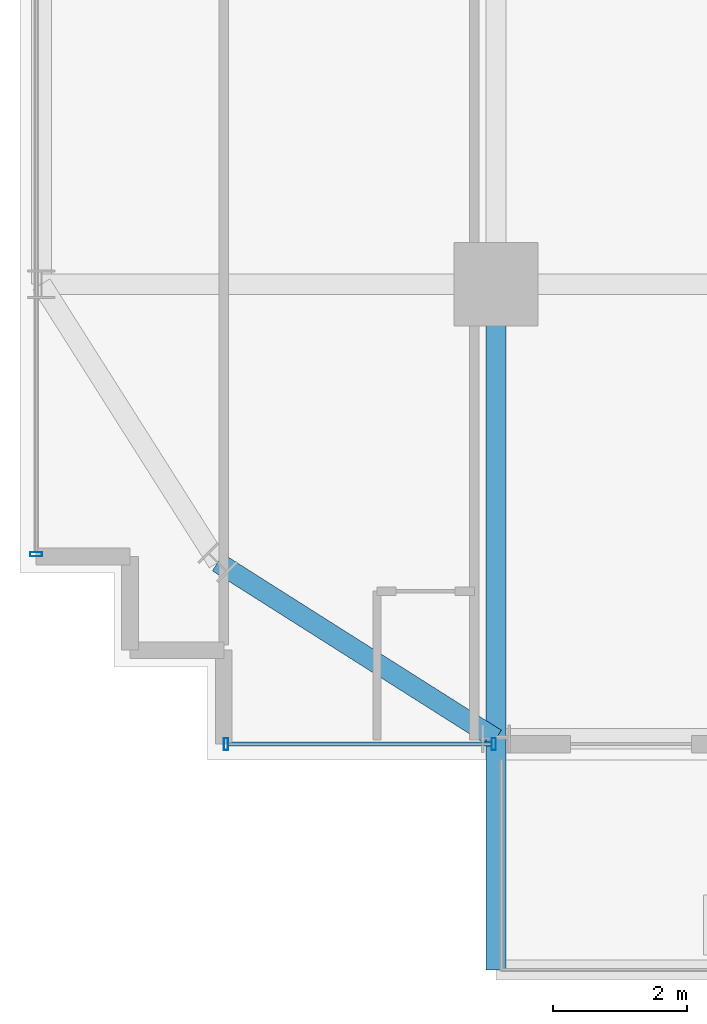
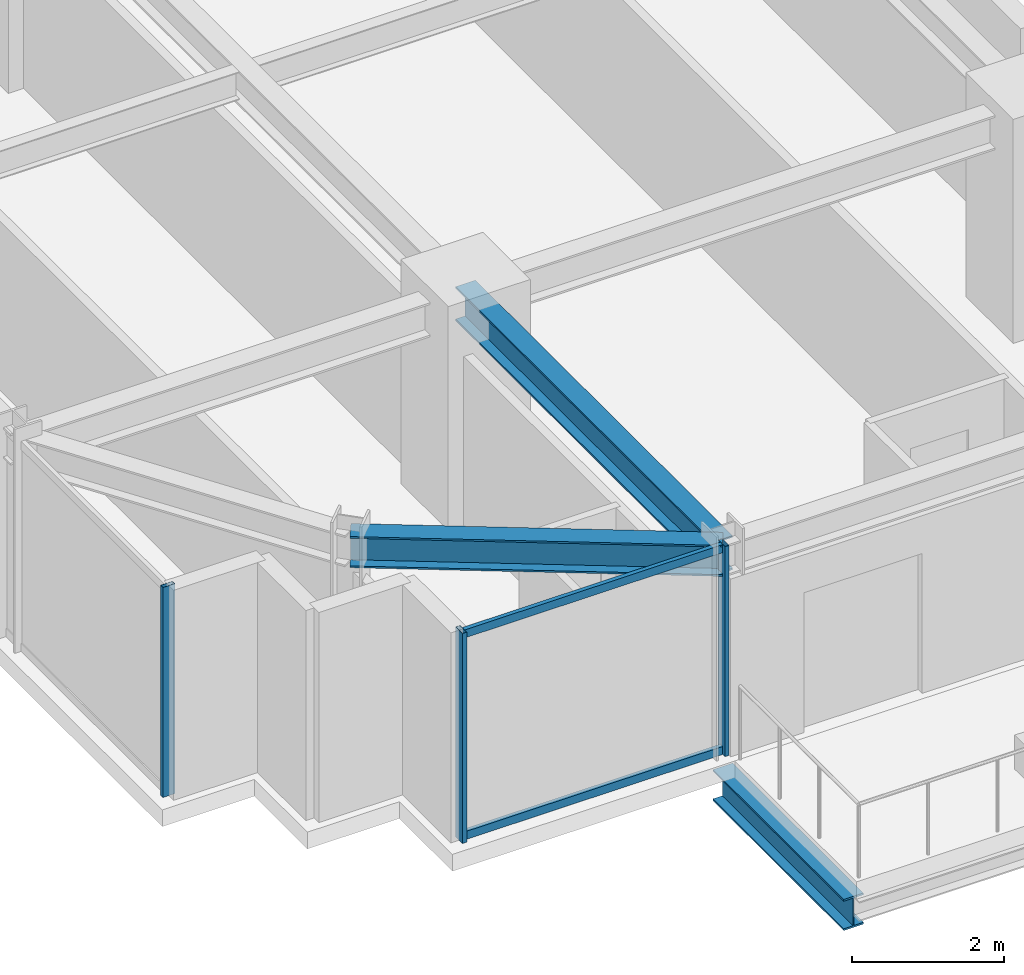
# One storey, part 2 of 32: 5 members, 3 beams, 2 elements without a shape of their own.
"""IFC4 building model written with IfcOpenShell, lengths in metres."""

from ifc_helpers import new_model, si_unit, direction, frame, origin, origin_2d, place, context, subcontext, project, spatial, hollow_rectangle, i_section, extrude, source, transform, mapped, material, material_profile, profile_set, type_object, element, aggregate, save


model = new_model("IFC4")

# Units and contexts
model_context = context("Model", 3, precision=1e-05, world=origin(), true_north=direction((0.0, 1.0)))
body_context = subcontext(model_context, "Body", "Model", "MODEL_VIEW")
ifc_project = project(units=[si_unit("LENGTHUNIT", "METRE"), si_unit("AREAUNIT", "SQUARE_METRE"), si_unit("VOLUMEUNIT", "CUBIC_METRE"), si_unit("PLANEANGLEUNIT", "RADIAN"), si_unit("MASSUNIT", "GRAM", prefix="KILO")], contexts=[model_context])

# Site, building, storey
site_placement = place(None, origin())
site = spatial("IfcSite", under=ifc_project, at=site_placement, CompositionType="ELEMENT")
building_placement = place(site_placement, origin())
building = spatial("IfcBuilding", under=site, at=building_placement, Name="Nahalor Promenade Grand Hotel", CompositionType="ELEMENT")
storey_placement = place(building_placement, frame((0.0, 0.0, 102.89990234375)))
storey = spatial("IfcBuildingStorey", under=building, at=storey_placement, Name="L25", CompositionType="ELEMENT", Elevation=102.89990234375)

# Beams
ifc_material_1 = material(Name="Steel S355JR", Category="steel")
ifc_material_profile_1 = material_profile(ifc_material_1, i_section(OverallWidth=0.3, OverallDepth=0.5, WebThickness=0.0145, FlangeThickness=0.028, at=origin_2d()), Name="HEB 500")
ifc_profile_set_1 = profile_set([ifc_material_profile_1], Name="Steel S355JR")
beam_type_1 = type_object("IfcBeamType", Name="Beam-Outrigger-HEB500", PredefinedType="BEAM", material=ifc_profile_set_1)
shared_shape_1 = source(origin(), body_context, "Body", "SweptSolid", [
    extrude(i_section(OverallWidth=0.3, OverallDepth=0.5, WebThickness=0.0145, FlangeThickness=0.028, at=origin_2d()), origin(), (0.0, 0.0, 1.0), 3.449951171875),
])
beam_1_placement = place(storey_placement, frame((-17.0, -27.22998046875, -0.52978515625), z_axis=(0.0, 1.0, 0.0), x_axis=(-1.0, 0.0, 0.0)))
element("IfcBeam", 1, at=beam_1_placement, inside=storey, type_object=beam_type_1, Name="BM-L25-BC-01-1", PredefinedType="BEAM", context=body_context, shape_type="MappedRepresentation", body=[
    mapped(shared_shape_1, transform((0.0, 0.0, 0.0), scale=1.0)),
])
ifc_material_profile_2 = material_profile(ifc_material_1, i_section(OverallWidth=0.3, OverallDepth=0.5, WebThickness=0.0145, FlangeThickness=0.028, at=origin_2d()), Name="HEB 500")
ifc_profile_set_2 = profile_set([ifc_material_profile_2], Name="Steel S355JR")
beam_type_2 = type_object("IfcBeamType", Name="Beam-Spandrel-HEB500", PredefinedType="SPANDREL", material=ifc_profile_set_2)
shared_shape_2 = source(origin(), body_context, "Body", "SweptSolid", [
    extrude(i_section(OverallWidth=0.3, OverallDepth=0.5, WebThickness=0.0145, FlangeThickness=0.028, at=origin_2d()), origin(), (0.0, 0.0, 1.0), 4.9130859375),
])
beam_2_placement = place(storey_placement, frame((-17.0, -23.780029296875, 3.130126953125), z_axis=(-0.844648325505, 0.535321591403, 0.0), x_axis=(-0.535321591403, -0.844648325505, 0.0)))
element("IfcBeam", 2, at=beam_2_placement, inside=storey, type_object=beam_type_2, Name="BM-L25-SPC-SW-1", PredefinedType="SPANDREL", context=body_context, shape_type="MappedRepresentation", body=[
    mapped(shared_shape_2, transform((0.0, 0.0, 0.0), scale=1.0)),
])
ifc_material_profile_3 = material_profile(ifc_material_1, i_section(OverallWidth=0.3, OverallDepth=0.55, WebThickness=0.015, FlangeThickness=0.029, at=origin_2d()), Name="HEB 550")
ifc_profile_set_3 = profile_set([ifc_material_profile_3], Name="Steel S355JR")
beam_type_3 = type_object("IfcBeamType", Name="Beam-Girder-HEB550", PredefinedType="BEAM", material=ifc_profile_set_3)
shared_shape_3 = source(origin(), body_context, "Body", "SweptSolid", [
    extrude(i_section(OverallWidth=0.3, OverallDepth=0.55, WebThickness=0.015, FlangeThickness=0.029, at=origin_2d()), origin(), (0.0, 0.0, 1.0), 6.780029296875),
])
beam_3_placement = place(storey_placement, frame((-17.0, -23.780029296875, 3.10498046875), z_axis=(0.0, 1.0, 0.0), x_axis=(-1.0, 0.0, 0.0)))
element("IfcBeam", 3, at=beam_3_placement, inside=storey, type_object=beam_type_3, Name="BM-L25-GY-0-0", PredefinedType="BEAM", context=body_context, shape_type="MappedRepresentation", body=[
    mapped(shared_shape_3, transform((0.0, 0.0, 0.0), scale=1.0)),
])

# Curtain wall, members
ifc_material_2 = material(Name="Anodised Bronze Aluminium EN AW-6063 T6", Category="aluminium")
curtain_wall_type = type_object("IfcCurtainWallType", Name="CW2 Typical Hotel Flush Bronze Unitised Curtain Wall", PredefinedType="USERDEFINED", material=ifc_material_2)
curtain_wall_1_placement = place(storey_placement, origin())
curtain_wall_1 = element("IfcCurtainWall", 4, at=curtain_wall_1_placement, inside=storey, type_object=curtain_wall_type, Name="L25 Curtain Wall CW-L25-S-1", ObjectType="UNITISED_CURTAIN_WALL", PredefinedType="USERDEFINED")
ifc_material_profile_4 = material_profile(ifc_material_2, hollow_rectangle(XDim=0.065, YDim=0.13, WallThickness=0.004, at=origin_2d()), Name="CWT 65x130x4")
ifc_profile_set_4 = profile_set([ifc_material_profile_4], Name="Anodised Bronze Aluminium EN AW-6063 T6")
member_type_1 = type_object("IfcMemberType", Name="CWT2 Typical Bronze Transom 65x130", PredefinedType="USERDEFINED", material=ifc_profile_set_4)
shared_shape_4 = source(origin(), body_context, "Body", "SweptSolid", [
    extrude(hollow_rectangle(XDim=0.065, YDim=0.13, WallThickness=0.004, at=origin_2d()), origin(), (0.0, 0.0, 1.0), 3.93017578125),
])
member_1_placement = place(storey_placement, frame((-20.9951171875, -23.860107421875, 0.065185546875), z_axis=(1.0, 0.0, 0.0), x_axis=(0.0, 1.0, 0.0)))
member_1 = element("IfcMember", 5, at=member_1_placement, type_object=member_type_1, Name="CW-L25-S-1 Transom 0-0", ObjectType="TRANSOM", PredefinedType="USERDEFINED", context=body_context, shape_type="MappedRepresentation", body=[
    mapped(shared_shape_4, transform((0.0, 0.0, 0.0), scale=1.0)),
])
member_2_placement = place(storey_placement, frame((-20.9951171875, -23.860107421875, 3.315185546875), z_axis=(1.0, 0.0, 0.0), x_axis=(0.0, 1.0, 0.0)))
member_2 = element("IfcMember", 6, at=member_2_placement, type_object=member_type_1, Name="CW-L25-S-1 Transom 0-1", ObjectType="TRANSOM", PredefinedType="USERDEFINED", context=body_context, shape_type="MappedRepresentation", body=[
    mapped(shared_shape_4, transform((0.0, 0.0, 0.0), scale=1.0)),
])
ifc_material_profile_5 = material_profile(ifc_material_2, hollow_rectangle(XDim=0.065, YDim=0.18, WallThickness=0.004, at=origin_2d()), Name="CWM 65x180x4")
ifc_profile_set_5 = profile_set([ifc_material_profile_5], Name="Anodised Bronze Aluminium EN AW-6063 T6")
member_type_2 = type_object("IfcMemberType", Name="CWM2 Typical Bronze Mullion 65x180", PredefinedType="MULLION", material=ifc_profile_set_5)
shared_shape_5 = source(origin(), body_context, "Body", "SweptSolid", [
    extrude(hollow_rectangle(XDim=0.065, YDim=0.18, WallThickness=0.004, at=origin_2d()), origin(), (0.0, 0.0, 1.0), 3.380126953125),
])
member_3_placement = place(storey_placement, frame((-21.027587890625, -23.860107421875, 0.0), z_axis=(0.0, 0.0, 1.0), x_axis=(1.0, 0.0, 0.0)))
member_3 = element("IfcMember", 7, at=member_3_placement, type_object=member_type_2, Name="CW-L25-S-1 Mullion 0", PredefinedType="MULLION", context=body_context, shape_type="MappedRepresentation", body=[
    mapped(shared_shape_5, transform((0.0, 0.0, 0.0), scale=1.0)),
])
member_4_placement = place(storey_placement, frame((-17.032470703125, -23.860107421875, 0.0), z_axis=(0.0, 0.0, 1.0), x_axis=(1.0, 0.0, 0.0)))
member_4 = element("IfcMember", 8, at=member_4_placement, type_object=member_type_2, Name="CW-L25-S-1 Mullion 1", PredefinedType="MULLION", context=body_context, shape_type="MappedRepresentation", body=[
    mapped(shared_shape_5, transform((0.0, 0.0, 0.0), scale=1.0)),
])
aggregate(curtain_wall_1, [member_3, member_4, member_1, member_2])

# Curtain wall, member
curtain_wall_2_placement = place(storey_placement, origin())
curtain_wall_2 = element("IfcCurtainWall", 9, at=curtain_wall_2_placement, inside=storey, type_object=curtain_wall_type, Name="L25 Curtain Wall CW-L25-W-1", ObjectType="UNITISED_CURTAIN_WALL", PredefinedType="USERDEFINED")
member_5_placement = place(storey_placement, frame((-23.860107421875, -21.027587890625, 0.0), z_axis=(0.0, 0.0, 1.0), x_axis=(0.0, 1.0, 0.0)))
member_5 = element("IfcMember", 10, at=member_5_placement, type_object=member_type_2, Name="CW-L25-W-1 Mullion 0", PredefinedType="MULLION", context=body_context, shape_type="MappedRepresentation", body=[
    mapped(shared_shape_5, transform((0.0, 0.0, 0.0), scale=1.0)),
])
aggregate(curtain_wall_2, [member_5])

save(model, "model.ifc")
